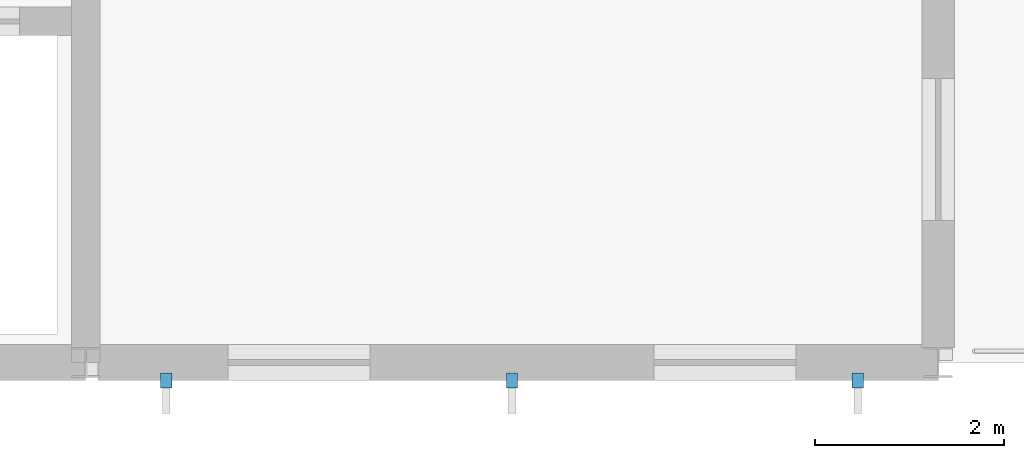
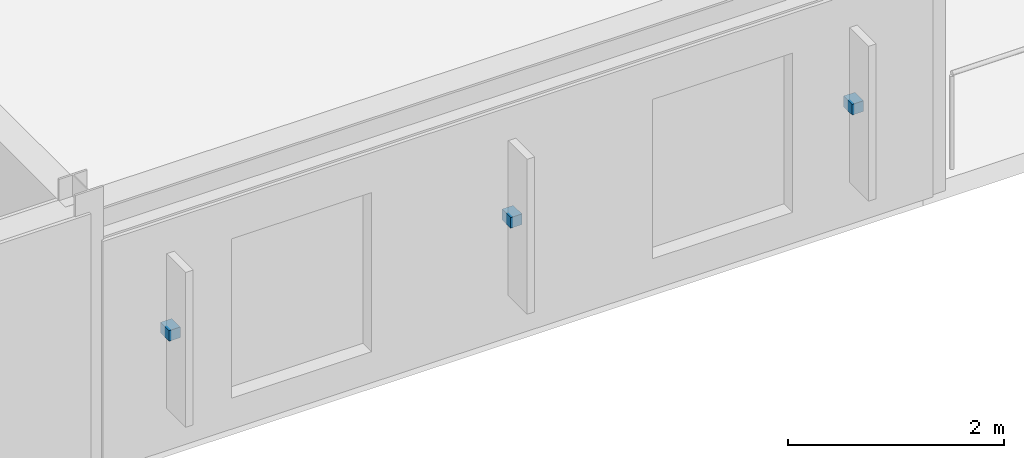
# One storey, part 16 of 18: 3 discrete accessories.
"""IFC4 building model written with IfcOpenShell, lengths in metres."""

from ifc_helpers import new_model, si_unit, direction, frame, origin, origin_2d, place, context, subcontext, project, spatial, rectangle, extrude, material, type_object, element, save


model = new_model("IFC4")

# Units and contexts
model_context = context("Model", 3, precision=1e-05, world=origin(), true_north=direction((0.0, 1.0)))
body_context = subcontext(model_context, "Body", "Model", "MODEL_VIEW")
ifc_project = project(units=[si_unit("LENGTHUNIT", "METRE"), si_unit("AREAUNIT", "SQUARE_METRE"), si_unit("VOLUMEUNIT", "CUBIC_METRE"), si_unit("PLANEANGLEUNIT", "RADIAN"), si_unit("MASSUNIT", "GRAM", prefix="KILO")], contexts=[model_context])

# Site, building, storey
site_placement = place(None, origin())
site = spatial("IfcSite", under=ifc_project, at=site_placement, CompositionType="ELEMENT")
building_placement = place(site_placement, origin())
building = spatial("IfcBuilding", under=site, at=building_placement, Name="Palais des Congres Ocreval", CompositionType="ELEMENT")
storey_placement = place(building_placement, frame((0.0, 0.0, 23.679931640625)))
storey = spatial("IfcBuildingStorey", under=building, at=storey_placement, Name="L07", CompositionType="ELEMENT", Elevation=23.679931640625)

# Discrete accessories
ifc_material = material(Name="Steel S355", Category="steel")
discrete_accessory_type = type_object("IfcDiscreteAccessoryType", Name="Stainless Brise-Soleil Fixing Bracket", PredefinedType="BRACKET", material=ifc_material)
for number, where, z_axis, x_axis, name in (
    (1, (53.14990234375, -0.18994140625, 1.2900390625), (0.0, 0.0, 1.0), (0.0, -1.0, 0.0), "Celosia Fixing Bracket BK01"),
    (2, (49.5, -0.18994140625, 1.2900390625), (0.0, 0.0, 1.0), (0.0, -1.0, 0.0), "Celosia Fixing Bracket BK01"),
    (3, (45.85009765625, -0.18994140625, 1.2900390625), (0.0, 0.0, 1.0), (0.0, -1.0, 0.0), "Celosia Fixing Bracket BK01"),
):
    element("IfcDiscreteAccessory", number, at=place(storey_placement, frame(where, z_axis=z_axis, x_axis=x_axis)), inside=storey, type_object=discrete_accessory_type, Name=name, PredefinedType="BRACKET", context=body_context, shape_type="SweptSolid", body=[
        extrude(rectangle(XDim=0.159912109375, YDim=0.1201171875, at=origin_2d()), origin(), (0.0, 0.0, 1.0), 0.1201171875),
    ])

save(model, "model.ifc")
